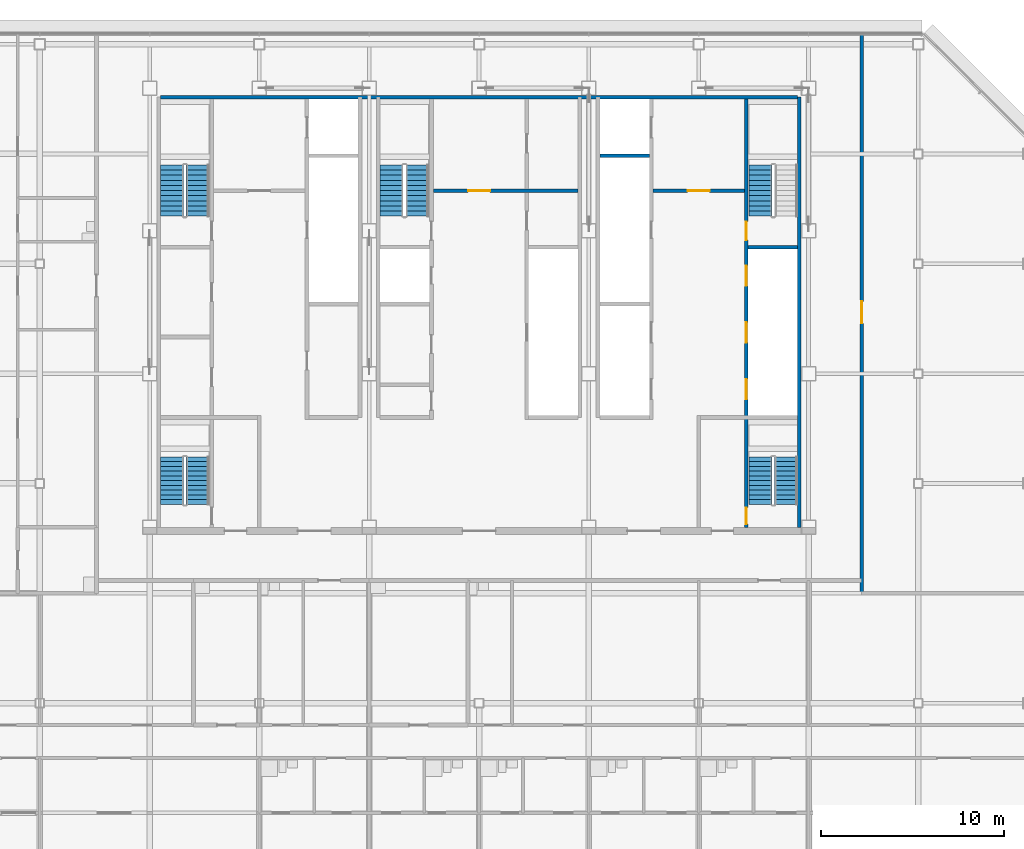
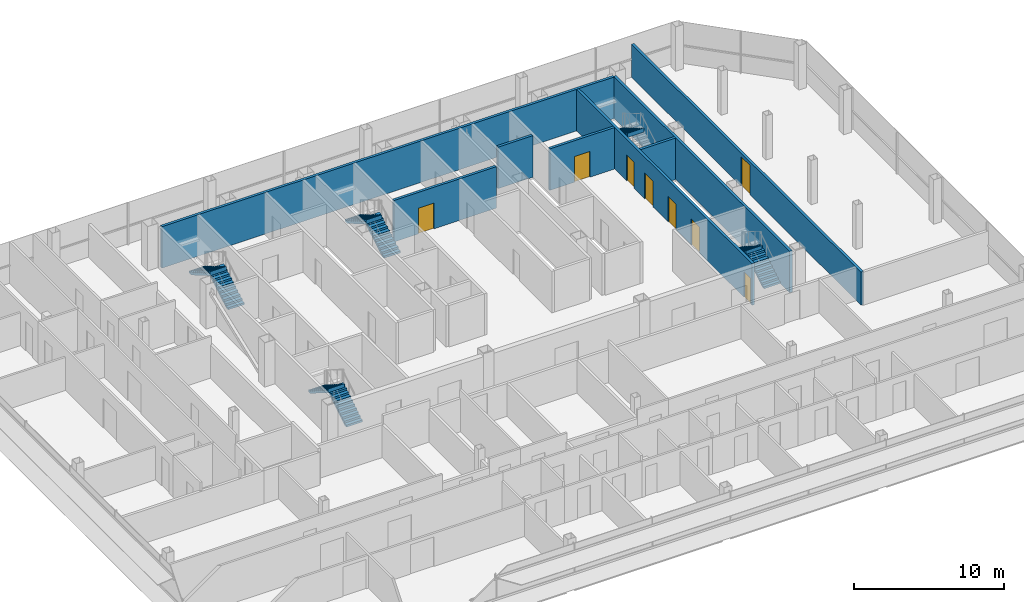
# One storey, part 25 of 28: 9 stair flights, 8 doors, 8 walls, 8 openings, 5 elements without a shape of their own.
"""IFC4 building model written with IfcOpenShell, lengths in metres."""

from ifc_helpers import new_model, si_unit, direction, frame, frame_2d, origin, place, context, subcontext, project, spatial, polyline, rectangle, outline, extrude, material, layer, layer_set, type_object, element, fill, aggregate, save


model = new_model("IFC4")

# Units and contexts
model_context = context("Model", 3, precision=1e-05, world=origin(), true_north=direction((0.0, 1.0)))
body_context = subcontext(model_context, "Body", "Model", "MODEL_VIEW")
ifc_project = project(units=[si_unit("LENGTHUNIT", "METRE"), si_unit("AREAUNIT", "SQUARE_METRE"), si_unit("VOLUMEUNIT", "CUBIC_METRE"), si_unit("PLANEANGLEUNIT", "RADIAN"), si_unit("MASSUNIT", "GRAM", prefix="KILO")], contexts=[model_context])

# Site, building, storey
site_placement = place(None, origin())
site = spatial("IfcSite", under=ifc_project, at=site_placement, CompositionType="ELEMENT")
building_placement = place(site_placement, origin())
building = spatial("IfcBuilding", under=site, at=building_placement, Name="Sorahane Residences", CompositionType="ELEMENT")
storey_placement = place(building_placement, frame((0.0, 0.0, 254.0)))
storey = spatial("IfcBuildingStorey", under=building, at=storey_placement, Name="L60", CompositionType="ELEMENT", Elevation=254.0)

# Walls
ifc_material_1 = material(Name="Concrete C30", Category="concrete")
ifc_layer_1 = layer(ifc_material_1, 0.199951171875)
ifc_layer_set_1 = layer_set([ifc_layer_1], Name="Core face wall 200 EI 180")
wall_type_1 = type_object("IfcWallType", Name="Core face wall 200 EI 180", PredefinedType="SOLIDWALL", material=ifc_layer_set_1)
wall_1_placement = place(storey_placement, frame((41.5, 21.60009765625, 0.0), z_axis=(0.0, 0.0, 1.0), x_axis=(0.0, 1.0, 0.0)))
element("IfcWall", 1, at=wall_1_placement, inside=storey, type_object=wall_type_1, Name="L60 core face wall", PredefinedType="SOLIDWALL", context=body_context, shape_type="SweptSolid", body=[
    extrude(rectangle(XDim=23.5, YDim=0.199951171875, at=frame_2d((11.75, 0.0))), origin(), (0.0, 0.0, 1.0), 3.3798828125),
])
wall_2_placement = place(storey_placement, frame((6.60009765625, 45.10009765625, 0.0), z_axis=(0.0, 0.0, 1.0), x_axis=(1.0, 0.0, 0.0)))
element("IfcWall", 2, at=wall_2_placement, inside=storey, type_object=wall_type_1, Name="L60 core face wall", PredefinedType="SOLIDWALL", context=body_context, shape_type="SweptSolid", body=[
    extrude(rectangle(XDim=34.7998046875, YDim=0.199951171875, at=frame_2d((17.39990234375, 0.0))), origin(), (0.0, 0.0, 1.0), 3.3798828125),
])

# Wall, opening, door
ifc_material_2 = material(Name="Concrete blockwork C20 wall", Category="masonry")
ifc_layer_2 = layer(ifc_material_2, 0.199951171875)
ifc_layer_set_2 = layer_set([ifc_layer_2], Name="Corridor wall 200 EI 120")
wall_type_2 = type_object("IfcWallType", Name="Corridor wall 200 EI 120", PredefinedType="SOLIDWALL", material=ifc_layer_set_2)
wall_3_placement = place(storey_placement, frame((44.89990234375, 18.0, 0.0), z_axis=(0.0, 0.0, 1.0), x_axis=(0.0, 1.0, 0.0)))
wall_3 = element("IfcWall", 3, at=wall_3_placement, inside=storey, type_object=wall_type_2, Name="L60 corridor wall", PredefinedType="SOLIDWALL", context=body_context, shape_type="SweptSolid", body=[
    extrude(rectangle(XDim=30.60009765625, YDim=0.199951171875, at=frame_2d((15.300048828125, 0.0))), origin(), (0.0, 0.0, 1.0), 2.679931640625),
])
opening_1_placement = place(wall_3_placement, frame((14.75, 0.0, 0.0)))
opening_1 = element("IfcOpeningElement", 4, at=opening_1_placement, cuts=wall_3, Name="Opening L60-49", PredefinedType="OPENING", context=body_context, shape_type="SweptSolid", body=[
    extrude(rectangle(XDim=1.199951171875, YDim=2.39990234375, at=frame_2d((0.60009765625, 1.199951171875))), frame((0.0, 0.10986328125, 0.0), z_axis=(0.0, -1.0, 0.0), x_axis=(1.0, 0.0, 0.0)), (0.0, 0.0, 1.0), 0.219970703125),
])
ifc_material_3 = material(Name="Steel", Category="steel")
door_type_1 = type_object("IfcDoorType", Name="Lobby door 1200x2400 FD60", OperationType="NOTDEFINED", PredefinedType="DOOR", material=ifc_material_3)
door_1_placement = place(opening_1_placement, frame((1.199951171875, 0.0, 0.0), z_axis=(0.0, 0.0, 1.0), x_axis=(-1.0, 0.0, 0.0)))
door_1 = element("IfcDoor", 5, at=door_1_placement, inside=storey, type_object=door_type_1, Name="Lobby door L60-49", OperationType="SINGLE_SWING_LEFT", OverallHeight=2.39990234375, OverallWidth=1.199951171875, PredefinedType="DOOR", context=body_context, shape_type="SweptSolid", body=[
    extrude(rectangle(XDim=1.199951171875, YDim=2.39990234375, at=frame_2d((0.60009765625, 1.199951171875))), frame((0.0, 0.02490234375, 0.0), z_axis=(0.0, -1.0, 0.0), x_axis=(1.0, 0.0, 0.0)), (0.0, 0.0, 1.0), 0.050048828125),
])
fill(opening_1, door_1)

ifc_material_4 = material(Name="Concrete C30", Category="concrete")
ifc_layer_3 = layer(ifc_material_4, 0.199951171875)
ifc_layer_set_3 = layer_set([ifc_layer_3], Name="Front room wall 200 EI 120")
wall_type_3 = type_object("IfcWallType", Name="Front room wall 200 EI 120", PredefinedType="PARTITIONING", material=ifc_layer_set_3)
wall_4_placement = place(storey_placement, frame((21.5, 40.0, 0.0), z_axis=(0.0, 0.0, 1.0), x_axis=(1.0, 0.0, 0.0)))
wall_4 = element("IfcWall", 6, at=wall_4_placement, inside=storey, type_object=wall_type_3, Name="L60 front room wall", PredefinedType="PARTITIONING", context=body_context, shape_type="SweptSolid", body=[
    extrude(rectangle(XDim=7.89990234375, YDim=0.199951171875, at=frame_2d((3.949951171875, 0.0))), origin(), (0.0, 0.0, 1.0), 3.3798828125),
])
opening_2_placement = place(wall_4_placement, frame((1.89990234375, 0.0, 0.0)))
opening_2 = element("IfcOpeningElement", 7, at=opening_2_placement, cuts=wall_4, Name="Opening L60-C07", PredefinedType="OPENING", context=body_context, shape_type="SweptSolid", body=[
    extrude(rectangle(XDim=1.199951171875, YDim=2.10009765625, at=frame_2d((0.60009765625, 1.050048828125))), frame((0.0, 0.10986328125, 0.0), z_axis=(0.0, -1.0, 0.0), x_axis=(1.0, 0.0, 0.0)), (0.0, 0.0, 1.0), 0.219970703125),
])
ifc_material_5 = material(Name="Steel", Category="steel")
door_type_2 = type_object("IfcDoorType", Name="Front room door 1200x2100 FD120", OperationType="NOTDEFINED", PredefinedType="DOOR", material=ifc_material_5)
door_2_placement = place(opening_2_placement, frame((1.199951171875, 0.0, 0.0), z_axis=(0.0, 0.0, 1.0), x_axis=(-1.0, 0.0, 0.0)))
door_2 = element("IfcDoor", 8, at=door_2_placement, inside=storey, type_object=door_type_2, Name="Front room door Stair S3 vestibule L60", OperationType="DOUBLE_DOOR_SINGLE_SWING", OverallHeight=2.10009765625, OverallWidth=1.199951171875, PredefinedType="DOOR", context=body_context, shape_type="SweptSolid", body=[
    extrude(rectangle(XDim=1.199951171875, YDim=2.10009765625, at=frame_2d((0.60009765625, 1.050048828125))), frame((0.0, 0.02490234375, 0.0), z_axis=(0.0, -1.0, 0.0), x_axis=(1.0, 0.0, 0.0)), (0.0, 0.0, 1.0), 0.050048828125),
])
fill(opening_2, door_2)

wall_5_placement = place(storey_placement, frame((33.5, 40.0, 0.0), z_axis=(0.0, 0.0, 1.0), x_axis=(1.0, 0.0, 0.0)))
wall_5 = element("IfcWall", 9, at=wall_5_placement, inside=storey, type_object=wall_type_3, Name="L60 front room wall", PredefinedType="PARTITIONING", context=body_context, shape_type="SweptSolid", body=[
    extrude(rectangle(XDim=5.0, YDim=0.199951171875, at=frame_2d((2.5, 0.0))), origin(), (0.0, 0.0, 1.0), 3.3798828125),
])
opening_3_placement = place(wall_5_placement, frame((1.89990234375, 0.0, 0.0)))
opening_3 = element("IfcOpeningElement", 10, at=opening_3_placement, cuts=wall_5, Name="Opening L60-C08", PredefinedType="OPENING", context=body_context, shape_type="SweptSolid", body=[
    extrude(rectangle(XDim=1.199951171875, YDim=2.10009765625, at=frame_2d((0.60009765625, 1.050048828125))), frame((0.0, 0.10986328125, 0.0), z_axis=(0.0, -1.0, 0.0), x_axis=(1.0, 0.0, 0.0)), (0.0, 0.0, 1.0), 0.219970703125),
])
door_3_placement = place(opening_3_placement, frame((1.199951171875, 0.0, 0.0), z_axis=(0.0, 0.0, 1.0), x_axis=(-1.0, 0.0, 0.0)))
door_3 = element("IfcDoor", 11, at=door_3_placement, inside=storey, type_object=door_type_2, Name="Front room door Firefighting lobby FF2 front room L60", OperationType="DOUBLE_DOOR_SINGLE_SWING", OverallHeight=2.10009765625, OverallWidth=1.199951171875, PredefinedType="DOOR", context=body_context, shape_type="SweptSolid", body=[
    extrude(rectangle(XDim=1.199951171875, YDim=2.10009765625, at=frame_2d((0.60009765625, 1.050048828125))), frame((0.0, 0.02490234375, 0.0), z_axis=(0.0, -1.0, 0.0), x_axis=(1.0, 0.0, 0.0)), (0.0, 0.0, 1.0), 0.050048828125),
])
fill(opening_3, door_3)

# Wall
ifc_material_6 = material(Name="Concrete C30", Category="concrete")
ifc_layer_4 = layer(ifc_material_6, 0.199951171875)
ifc_layer_set_4 = layer_set([ifc_layer_4], Name="Lift shaft wall 200 EI 120")
wall_type_4 = type_object("IfcWallType", Name="Lift shaft wall 200 EI 120", PredefinedType="SOLIDWALL", material=ifc_layer_set_4)
wall_6_placement = place(storey_placement, frame((30.60009765625, 41.89990234375, 0.0), z_axis=(0.0, 0.0, 1.0), x_axis=(1.0, 0.0, 0.0)))
element("IfcWall", 12, at=wall_6_placement, inside=storey, type_object=wall_type_4, Name="L60 lift shaft wall", PredefinedType="SOLIDWALL", context=body_context, shape_type="SweptSolid", body=[
    extrude(rectangle(XDim=2.699951171875, YDim=0.199951171875, at=frame_2d((1.35009765625, 0.0))), origin(), (0.0, 0.0, 1.0), 3.3798828125),
])

# Wall, openings, doors
ifc_material_7 = material(Name="Concrete C30", Category="concrete")
ifc_layer_5 = layer(ifc_material_7, 0.199951171875)
ifc_layer_set_5 = layer_set([ifc_layer_5], Name="Stair enclosure wall 200 EI 120")
wall_type_5 = type_object("IfcWallType", Name="Stair enclosure wall 200 EI 120", PredefinedType="SOLIDWALL", material=ifc_layer_set_5)
wall_7_placement = place(storey_placement, frame((38.60009765625, 21.60009765625, 0.0), z_axis=(0.0, 0.0, 1.0), x_axis=(0.0, 1.0, 0.0)))
wall_7 = element("IfcWall", 13, at=wall_7_placement, inside=storey, type_object=wall_type_5, Name="L60 stair enclosure wall", PredefinedType="SOLIDWALL", context=body_context, shape_type="SweptSolid", body=[
    extrude(rectangle(XDim=23.39990234375, YDim=0.199951171875, at=frame_2d((11.699951171875, 0.0))), origin(), (0.0, 0.0, 1.0), 3.3798828125),
])
opening_4_placement = place(wall_7_placement, frame((7.0, 0.0, 0.0)))
opening_4 = element("IfcOpeningElement", 14, at=opening_4_placement, cuts=wall_7, Name="Opening L60-C09", PredefinedType="OPENING", context=body_context, shape_type="SweptSolid", body=[
    extrude(rectangle(XDim=1.10009765625, YDim=2.10009765625, at=frame_2d((0.550048828125, 1.050048828125))), frame((0.0, 0.10986328125, 0.0), z_axis=(0.0, -1.0, 0.0), x_axis=(1.0, 0.0, 0.0)), (0.0, 0.0, 1.0), 0.219970703125),
])
opening_5_placement = place(wall_7_placement, frame((10.10009765625, 0.0, 0.0)))
opening_5 = element("IfcOpeningElement", 15, at=opening_5_placement, cuts=wall_7, Name="Opening L60-C10", PredefinedType="OPENING", context=body_context, shape_type="SweptSolid", body=[
    extrude(rectangle(XDim=1.10009765625, YDim=2.10009765625, at=frame_2d((0.550048828125, 1.050048828125))), frame((0.0, 0.10986328125, 0.0), z_axis=(0.0, -1.0, 0.0), x_axis=(1.0, 0.0, 0.0)), (0.0, 0.0, 1.0), 0.219970703125),
])
opening_6_placement = place(wall_7_placement, frame((13.199951171875, 0.0, 0.0)))
opening_6 = element("IfcOpeningElement", 16, at=opening_6_placement, cuts=wall_7, Name="Opening L60-C11", PredefinedType="OPENING", context=body_context, shape_type="SweptSolid", body=[
    extrude(rectangle(XDim=1.10009765625, YDim=2.10009765625, at=frame_2d((0.550048828125, 1.050048828125))), frame((0.0, 0.10986328125, 0.0), z_axis=(0.0, -1.0, 0.0), x_axis=(1.0, 0.0, 0.0)), (0.0, 0.0, 1.0), 0.219970703125),
])
opening_7_placement = place(wall_7_placement, frame((15.699951171875, 0.0, 0.0)))
opening_7 = element("IfcOpeningElement", 17, at=opening_7_placement, cuts=wall_7, Name="Opening L60-C22", PredefinedType="OPENING", context=body_context, shape_type="SweptSolid", body=[
    extrude(rectangle(XDim=1.0, YDim=2.10009765625, at=frame_2d((0.5, 1.050048828125))), frame((0.0, 0.10986328125, 0.0), z_axis=(0.0, -1.0, 0.0), x_axis=(1.0, 0.0, 0.0)), (0.0, 0.0, 1.0), 0.219970703125),
])
opening_8_placement = place(wall_7_placement, frame((0.175048828125, 0.0, 0.0)))
opening_8 = element("IfcOpeningElement", 18, at=opening_8_placement, cuts=wall_7, Name="Opening L60-C25", PredefinedType="OPENING", context=body_context, shape_type="SweptSolid", body=[
    extrude(rectangle(XDim=0.89990234375, YDim=2.10009765625, at=frame_2d((0.449951171875, 1.050048828125))), frame((0.0, 0.10986328125, 0.0), z_axis=(0.0, -1.0, 0.0), x_axis=(1.0, 0.0, 0.0)), (0.0, 0.0, 1.0), 0.219970703125),
])
ifc_material_8 = material(Name="Aluminium and stainless steel", Category="steel")
door_type_3 = type_object("IfcDoorType", Name="Lift landing door 1100x2100 E 60", OperationType="NOTDEFINED", PredefinedType="DOOR", material=ifc_material_8)
door_4_placement = place(opening_4_placement, origin())
door_4 = element("IfcDoor", 19, at=door_4_placement, inside=storey, type_object=door_type_3, Name="Lift landing door HR1 L60", OperationType="DOUBLE_DOOR_SLIDING", OverallHeight=2.10009765625, OverallWidth=1.10009765625, PredefinedType="DOOR", context=body_context, shape_type="SweptSolid", body=[
    extrude(rectangle(XDim=1.10009765625, YDim=2.10009765625, at=frame_2d((0.550048828125, 1.050048828125))), frame((0.0, 0.02490234375, 0.0), z_axis=(0.0, -1.0, 0.0), x_axis=(1.0, 0.0, 0.0)), (0.0, 0.0, 1.0), 0.050048828125),
])
fill(opening_4, door_4)
door_5_placement = place(opening_5_placement, origin())
door_5 = element("IfcDoor", 20, at=door_5_placement, inside=storey, type_object=door_type_3, Name="Lift landing door HR2 L60", OperationType="DOUBLE_DOOR_SLIDING", OverallHeight=2.10009765625, OverallWidth=1.10009765625, PredefinedType="DOOR", context=body_context, shape_type="SweptSolid", body=[
    extrude(rectangle(XDim=1.10009765625, YDim=2.10009765625, at=frame_2d((0.550048828125, 1.050048828125))), frame((0.0, 0.02490234375, 0.0), z_axis=(0.0, -1.0, 0.0), x_axis=(1.0, 0.0, 0.0)), (0.0, 0.0, 1.0), 0.050048828125),
])
fill(opening_5, door_5)
door_6_placement = place(opening_6_placement, origin())
door_6 = element("IfcDoor", 21, at=door_6_placement, inside=storey, type_object=door_type_3, Name="Lift landing door HR3 L60", OperationType="DOUBLE_DOOR_SLIDING", OverallHeight=2.10009765625, OverallWidth=1.10009765625, PredefinedType="DOOR", context=body_context, shape_type="SweptSolid", body=[
    extrude(rectangle(XDim=1.10009765625, YDim=2.10009765625, at=frame_2d((0.550048828125, 1.050048828125))), frame((0.0, 0.02490234375, 0.0), z_axis=(0.0, -1.0, 0.0), x_axis=(1.0, 0.0, 0.0)), (0.0, 0.0, 1.0), 0.050048828125),
])
fill(opening_6, door_6)
ifc_material_9 = material(Name="Steel", Category="steel")
door_type_4 = type_object("IfcDoorType", Name="Stair door 1000x2100 FD120", OperationType="NOTDEFINED", PredefinedType="DOOR", material=ifc_material_9)
door_7_placement = place(opening_7_placement, frame((1.0, 0.0, 0.0), z_axis=(0.0, 0.0, 1.0), x_axis=(-1.0, 0.0, 0.0)))
door_7 = element("IfcDoor", 22, at=door_7_placement, inside=storey, type_object=door_type_4, Name="Stair door S2 L60", OperationType="SINGLE_SWING_LEFT", OverallHeight=2.10009765625, OverallWidth=1.0, PredefinedType="DOOR", context=body_context, shape_type="SweptSolid", body=[
    extrude(rectangle(XDim=1.0, YDim=2.10009765625, at=frame_2d((0.5, 1.050048828125))), frame((0.0, 0.02490234375, 0.0), z_axis=(0.0, -1.0, 0.0), x_axis=(1.0, 0.0, 0.0)), (0.0, 0.0, 1.0), 0.050048828125),
])
fill(opening_7, door_7)
ifc_material_10 = material(Name="Steel", Category="steel")
door_type_5 = type_object("IfcDoorType", Name="Stair door 900x2100 FD120", OperationType="NOTDEFINED", PredefinedType="DOOR", material=ifc_material_10)
door_8_placement = place(opening_8_placement, frame((0.89990234375, 0.0, 0.0), z_axis=(0.0, 0.0, 1.0), x_axis=(-1.0, 0.0, 0.0)))
door_8 = element("IfcDoor", 23, at=door_8_placement, inside=storey, type_object=door_type_5, Name="Stair door S5 L60", OperationType="SINGLE_SWING_LEFT", OverallHeight=2.10009765625, OverallWidth=0.89990234375, PredefinedType="DOOR", context=body_context, shape_type="SweptSolid", body=[
    extrude(rectangle(XDim=0.89990234375, YDim=2.10009765625, at=frame_2d((0.449951171875, 1.050048828125))), frame((0.0, 0.02490234375, 0.0), z_axis=(0.0, -1.0, 0.0), x_axis=(1.0, 0.0, 0.0)), (0.0, 0.0, 1.0), 0.050048828125),
])
fill(opening_8, door_8)

# Wall
wall_8_placement = place(storey_placement, frame((38.699951171875, 36.89990234375, 0.0), z_axis=(0.0, 0.0, 1.0), x_axis=(1.0, 0.0, 0.0)))
element("IfcWall", 24, at=wall_8_placement, inside=storey, type_object=wall_type_5, Name="L60 stair enclosure wall", PredefinedType="SOLIDWALL", context=body_context, shape_type="SweptSolid", body=[
    extrude(rectangle(XDim=2.699951171875, YDim=0.199951171875, at=frame_2d((1.35009765625, 0.0))), origin(), (0.0, 0.0, 1.0), 3.3798828125),
])

# Stair, stair flights
ifc_material_11 = material(Name="Concrete C40", Category="concrete")
stair_type = type_object("IfcStairType", Name="Dog-leg stair 1250 Concrete C40", PredefinedType="HALF_TURN_STAIR", material=ifc_material_11)
stair_1_placement = place(storey_placement, origin())
stair_1 = element("IfcStair", 25, at=stair_1_placement, inside=storey, type_object=stair_type, Name="L60 Stair S1", PredefinedType="HALF_TURN_STAIR")
ifc_material_12 = material(Name="Concrete C40", Category="concrete")
stair_flight_type = type_object("IfcStairFlightType", Name="Stair flight 1250 Concrete C40", PredefinedType="STRAIGHT", material=ifc_material_12)
stair_flight_1_placement = place(storey_placement, frame((8.625, 38.60009765625, 0.0), z_axis=(0.0, 0.0, 1.0), x_axis=(0.0, 1.0, 0.0)))
stair_flight_1 = element("IfcStairFlight", 26, at=stair_flight_1_placement, type_object=stair_flight_type, Name="S1 flight 1", NumberOfRisers=11, NumberOfTreads=10, PredefinedType="STRAIGHT", RiserHeight=0.163636364, TreadLength=0.28, context=body_context, shape_type="SweptSolid", body=[
    extrude(outline(polyline([(-0.00146484375, 0.0), (-0.00146484375, 0.16357421875), (0.0, 0.16357421875), (0.280029296875, 0.16357421875), (0.280029296875, 0.327392578125), (0.56005859375, 0.327392578125), (0.56005859375, 0.490966796875), (0.840087890625, 0.490966796875), (0.840087890625, 0.654541015625), (1.1201171875, 0.654541015625), (1.1201171875, 0.818115234375), (1.39990234375, 0.818115234375), (1.39990234375, 0.98193359375), (1.679931640625, 0.98193359375), (1.679931640625, 1.1455078125), (1.9599609375, 1.1455078125), (1.9599609375, 1.30908203125), (2.239990234375, 1.30908203125), (2.239990234375, 1.47265625), (2.52001953125, 1.47265625), (2.52001953125, 1.636474609375), (2.800048828125, 1.636474609375), (2.800048828125, 1.800048828125), (2.800048828125, 1.462646484375), (2.59130859375, 1.3408203125), (2.3828125, 1.218994140625), (2.17431640625, 1.09716796875), (1.965576171875, 0.97509765625), (1.757080078125, 0.853271484375), (1.548583984375, 0.7314453125), (1.340087890625, 0.609375), (1.13134765625, 0.487548828125), (0.9228515625, 0.36572265625), (0.71435546875, 0.243896484375), (0.505615234375, 0.121826171875), (0.297119140625, 0.0), (-0.00146484375, 0.0)])), frame((0.0, 0.625, 0.0), z_axis=(0.0, -1.0, 0.0), x_axis=(1.0, 0.0, 0.0)), (0.0, 0.0, 1.0), 1.25),
])
stair_flight_2_placement = place(storey_placement, frame((7.22509765625, 41.39990234375, 1.800048828125), z_axis=(0.0, 0.0, 1.0), x_axis=(0.0, -1.0, 0.0)))
stair_flight_2 = element("IfcStairFlight", 27, at=stair_flight_2_placement, type_object=stair_flight_type, Name="S1 flight 2", NumberOfRisers=11, NumberOfTreads=10, PredefinedType="STRAIGHT", RiserHeight=0.163636364, TreadLength=0.28, context=body_context, shape_type="SweptSolid", body=[
    extrude(outline(polyline([(0.0, 0.0), (0.0, 0.16357421875), (0.280029296875, 0.16357421875), (0.280029296875, 0.327392578125), (0.56005859375, 0.327392578125), (0.56005859375, 0.490966796875), (0.840087890625, 0.490966796875), (0.840087890625, 0.654541015625), (1.1201171875, 0.654541015625), (1.1201171875, 0.818115234375), (1.39990234375, 0.818115234375), (1.39990234375, 0.98193359375), (1.679931640625, 0.98193359375), (1.679931640625, 1.1455078125), (1.9599609375, 1.1455078125), (1.9599609375, 1.30908203125), (2.239990234375, 1.30908203125), (2.239990234375, 1.47265625), (2.52001953125, 1.47265625), (2.52001953125, 1.636474609375), (2.800048828125, 1.636474609375), (2.800048828125, 1.800048828125), (2.801513671875, 1.800048828125), (2.801513671875, 1.462646484375), (2.5927734375, 1.3408203125), (2.384033203125, 1.218994140625), (2.17529296875, 1.09716796875), (1.966796875, 0.97509765625), (1.758056640625, 0.853271484375), (1.54931640625, 0.7314453125), (1.340576171875, 0.609375), (1.1318359375, 0.487548828125), (0.923095703125, 0.36572265625), (0.714599609375, 0.243896484375), (0.505859375, 0.121826171875), (0.297119140625, 0.0), (0.0, 0.0)])), frame((0.0, 0.625, 0.0), z_axis=(0.0, -1.0, 0.0), x_axis=(1.0, 0.0, 0.0)), (0.0, 0.0, 1.0), 1.25),
])
aggregate(stair_1, [stair_flight_1, stair_flight_2])

# Stair, stair flight
stair_2_placement = place(storey_placement, origin())
stair_2 = element("IfcStair", 28, at=stair_2_placement, inside=storey, type_object=stair_type, Name="L60 Stair S2", PredefinedType="HALF_TURN_STAIR")
stair_flight_3_placement = place(storey_placement, frame((39.375, 41.39990234375, 1.800048828125), z_axis=(0.0, 0.0, 1.0), x_axis=(0.0, -1.0, 0.0)))
stair_flight_3 = element("IfcStairFlight", 29, at=stair_flight_3_placement, type_object=stair_flight_type, Name="S2 flight 2", NumberOfRisers=11, NumberOfTreads=10, PredefinedType="STRAIGHT", RiserHeight=0.163636364, TreadLength=0.28, context=body_context, shape_type="SweptSolid", body=[
    extrude(outline(polyline([(0.0, 0.0), (0.0, 0.16357421875), (0.280029296875, 0.16357421875), (0.280029296875, 0.327392578125), (0.56005859375, 0.327392578125), (0.56005859375, 0.490966796875), (0.840087890625, 0.490966796875), (0.840087890625, 0.654541015625), (1.1201171875, 0.654541015625), (1.1201171875, 0.818115234375), (1.39990234375, 0.818115234375), (1.39990234375, 0.98193359375), (1.679931640625, 0.98193359375), (1.679931640625, 1.1455078125), (1.9599609375, 1.1455078125), (1.9599609375, 1.30908203125), (2.239990234375, 1.30908203125), (2.239990234375, 1.47265625), (2.52001953125, 1.47265625), (2.52001953125, 1.636474609375), (2.800048828125, 1.636474609375), (2.800048828125, 1.800048828125), (2.801513671875, 1.800048828125), (2.801513671875, 1.462646484375), (2.5927734375, 1.3408203125), (2.384033203125, 1.218994140625), (2.17529296875, 1.09716796875), (1.966796875, 0.97509765625), (1.758056640625, 0.853271484375), (1.54931640625, 0.7314453125), (1.340576171875, 0.609375), (1.1318359375, 0.487548828125), (0.923095703125, 0.36572265625), (0.714599609375, 0.243896484375), (0.505859375, 0.121826171875), (0.297119140625, 0.0), (0.0, 0.0)])), frame((0.0, 0.625, 0.0), z_axis=(0.0, -1.0, 0.0), x_axis=(1.0, 0.0, 0.0)), (0.0, 0.0, 1.0), 1.25),
])
aggregate(stair_2, [stair_flight_3])

# Stair, stair flights
stair_3_placement = place(storey_placement, origin())
stair_3 = element("IfcStair", 30, at=stair_3_placement, inside=storey, type_object=stair_type, Name="L60 Stair S3", PredefinedType="HALF_TURN_STAIR")
stair_flight_4_placement = place(storey_placement, frame((20.625, 38.60009765625, 0.0), z_axis=(0.0, 0.0, 1.0), x_axis=(0.0, 1.0, 0.0)))
stair_flight_4 = element("IfcStairFlight", 31, at=stair_flight_4_placement, type_object=stair_flight_type, Name="S3 flight 1", NumberOfRisers=11, NumberOfTreads=10, PredefinedType="STRAIGHT", RiserHeight=0.163636364, TreadLength=0.28, context=body_context, shape_type="SweptSolid", body=[
    extrude(outline(polyline([(-0.00146484375, 0.0), (-0.00146484375, 0.16357421875), (0.0, 0.16357421875), (0.280029296875, 0.16357421875), (0.280029296875, 0.327392578125), (0.56005859375, 0.327392578125), (0.56005859375, 0.490966796875), (0.840087890625, 0.490966796875), (0.840087890625, 0.654541015625), (1.1201171875, 0.654541015625), (1.1201171875, 0.818115234375), (1.39990234375, 0.818115234375), (1.39990234375, 0.98193359375), (1.679931640625, 0.98193359375), (1.679931640625, 1.1455078125), (1.9599609375, 1.1455078125), (1.9599609375, 1.30908203125), (2.239990234375, 1.30908203125), (2.239990234375, 1.47265625), (2.52001953125, 1.47265625), (2.52001953125, 1.636474609375), (2.800048828125, 1.636474609375), (2.800048828125, 1.800048828125), (2.800048828125, 1.462646484375), (2.59130859375, 1.3408203125), (2.3828125, 1.218994140625), (2.17431640625, 1.09716796875), (1.965576171875, 0.97509765625), (1.757080078125, 0.853271484375), (1.548583984375, 0.7314453125), (1.340087890625, 0.609375), (1.13134765625, 0.487548828125), (0.9228515625, 0.36572265625), (0.71435546875, 0.243896484375), (0.505615234375, 0.121826171875), (0.297119140625, 0.0), (-0.00146484375, 0.0)])), frame((0.0, 0.625, 0.0), z_axis=(0.0, -1.0, 0.0), x_axis=(1.0, 0.0, 0.0)), (0.0, 0.0, 1.0), 1.25),
])
stair_flight_5_placement = place(storey_placement, frame((19.22509765625, 41.39990234375, 1.800048828125), z_axis=(0.0, 0.0, 1.0), x_axis=(0.0, -1.0, 0.0)))
stair_flight_5 = element("IfcStairFlight", 32, at=stair_flight_5_placement, type_object=stair_flight_type, Name="S3 flight 2", NumberOfRisers=11, NumberOfTreads=10, PredefinedType="STRAIGHT", RiserHeight=0.163636364, TreadLength=0.28, context=body_context, shape_type="SweptSolid", body=[
    extrude(outline(polyline([(0.0, 0.0), (0.0, 0.16357421875), (0.280029296875, 0.16357421875), (0.280029296875, 0.327392578125), (0.56005859375, 0.327392578125), (0.56005859375, 0.490966796875), (0.840087890625, 0.490966796875), (0.840087890625, 0.654541015625), (1.1201171875, 0.654541015625), (1.1201171875, 0.818115234375), (1.39990234375, 0.818115234375), (1.39990234375, 0.98193359375), (1.679931640625, 0.98193359375), (1.679931640625, 1.1455078125), (1.9599609375, 1.1455078125), (1.9599609375, 1.30908203125), (2.239990234375, 1.30908203125), (2.239990234375, 1.47265625), (2.52001953125, 1.47265625), (2.52001953125, 1.636474609375), (2.800048828125, 1.636474609375), (2.800048828125, 1.800048828125), (2.801513671875, 1.800048828125), (2.801513671875, 1.462646484375), (2.5927734375, 1.3408203125), (2.384033203125, 1.218994140625), (2.17529296875, 1.09716796875), (1.966796875, 0.97509765625), (1.758056640625, 0.853271484375), (1.54931640625, 0.7314453125), (1.340576171875, 0.609375), (1.1318359375, 0.487548828125), (0.923095703125, 0.36572265625), (0.714599609375, 0.243896484375), (0.505859375, 0.121826171875), (0.297119140625, 0.0), (0.0, 0.0)])), frame((0.0, 0.625, 0.0), z_axis=(0.0, -1.0, 0.0), x_axis=(1.0, 0.0, 0.0)), (0.0, 0.0, 1.0), 1.25),
])
aggregate(stair_3, [stair_flight_4, stair_flight_5])

stair_4_placement = place(storey_placement, origin())
stair_4 = element("IfcStair", 33, at=stair_4_placement, inside=storey, type_object=stair_type, Name="L60 Stair S4", PredefinedType="HALF_TURN_STAIR")
stair_flight_6_placement = place(storey_placement, frame((8.625, 22.85009765625, 0.0), z_axis=(0.0, 0.0, 1.0), x_axis=(0.0, 1.0, 0.0)))
stair_flight_6 = element("IfcStairFlight", 34, at=stair_flight_6_placement, type_object=stair_flight_type, Name="S4 flight 1", NumberOfRisers=11, NumberOfTreads=10, PredefinedType="STRAIGHT", RiserHeight=0.163636364, TreadLength=0.26, context=body_context, shape_type="SweptSolid", body=[
    extrude(outline(polyline([(-0.00146484375, 0.0), (-0.00146484375, 0.16357421875), (0.0, 0.16357421875), (0.260009765625, 0.16357421875), (0.260009765625, 0.327392578125), (0.52001953125, 0.327392578125), (0.52001953125, 0.490966796875), (0.780029296875, 0.490966796875), (0.780029296875, 0.654541015625), (1.0400390625, 0.654541015625), (1.0400390625, 0.818115234375), (1.300048828125, 0.818115234375), (1.300048828125, 0.98193359375), (1.56005859375, 0.98193359375), (1.56005859375, 1.1455078125), (1.820068359375, 1.1455078125), (1.820068359375, 1.30908203125), (2.080078125, 1.30908203125), (2.080078125, 1.47265625), (2.340087890625, 1.47265625), (2.340087890625, 1.636474609375), (2.60009765625, 1.636474609375), (2.60009765625, 1.800048828125), (2.60009765625, 1.494384765625), (2.402099609375, 1.369873046875), (2.204345703125, 1.245361328125), (2.00634765625, 1.120849609375), (1.80859375, 0.996337890625), (1.610595703125, 0.871826171875), (1.412841796875, 0.747314453125), (1.21484375, 0.622802734375), (1.01708984375, 0.498046875), (0.819091796875, 0.37353515625), (0.621337890625, 0.2490234375), (0.42333984375, 0.12451171875), (0.2255859375, 0.0), (-0.00146484375, 0.0)])), frame((0.0, 0.625, 0.0), z_axis=(0.0, -1.0, 0.0), x_axis=(1.0, 0.0, 0.0)), (0.0, 0.0, 1.0), 1.25),
])
stair_flight_7_placement = place(storey_placement, frame((7.22509765625, 25.449951171875, 1.800048828125), z_axis=(0.0, 0.0, 1.0), x_axis=(0.0, -1.0, 0.0)))
stair_flight_7 = element("IfcStairFlight", 35, at=stair_flight_7_placement, type_object=stair_flight_type, Name="S4 flight 2", NumberOfRisers=11, NumberOfTreads=10, PredefinedType="STRAIGHT", RiserHeight=0.163636364, TreadLength=0.26, context=body_context, shape_type="SweptSolid", body=[
    extrude(outline(polyline([(0.0, 0.0), (0.0, 0.16357421875), (0.260009765625, 0.16357421875), (0.260009765625, 0.327392578125), (0.52001953125, 0.327392578125), (0.52001953125, 0.490966796875), (0.780029296875, 0.490966796875), (0.780029296875, 0.654541015625), (1.0400390625, 0.654541015625), (1.0400390625, 0.818115234375), (1.300048828125, 0.818115234375), (1.300048828125, 0.98193359375), (1.56005859375, 0.98193359375), (1.56005859375, 1.1455078125), (1.820068359375, 1.1455078125), (1.820068359375, 1.30908203125), (2.080078125, 1.30908203125), (2.080078125, 1.47265625), (2.340087890625, 1.47265625), (2.340087890625, 1.636474609375), (2.60009765625, 1.636474609375), (2.60009765625, 1.800048828125), (2.6015625, 1.800048828125), (2.6015625, 1.494384765625), (2.403564453125, 1.369873046875), (2.20556640625, 1.245361328125), (2.007568359375, 1.120849609375), (1.8095703125, 0.996337890625), (1.611572265625, 0.871826171875), (1.41357421875, 0.747314453125), (1.215576171875, 0.622802734375), (1.017578125, 0.498046875), (0.819580078125, 0.37353515625), (0.62158203125, 0.2490234375), (0.423583984375, 0.12451171875), (0.2255859375, 0.0), (0.0, 0.0)])), frame((0.0, 0.625, 0.0), z_axis=(0.0, -1.0, 0.0), x_axis=(1.0, 0.0, 0.0)), (0.0, 0.0, 1.0), 1.25),
])
aggregate(stair_4, [stair_flight_6, stair_flight_7])

stair_5_placement = place(storey_placement, origin())
stair_5 = element("IfcStair", 36, at=stair_5_placement, inside=storey, type_object=stair_type, Name="L60 Stair S5", PredefinedType="HALF_TURN_STAIR")
stair_flight_8_placement = place(storey_placement, frame((40.77490234375, 22.85009765625, 0.0), z_axis=(0.0, 0.0, 1.0), x_axis=(0.0, 1.0, 0.0)))
stair_flight_8 = element("IfcStairFlight", 37, at=stair_flight_8_placement, type_object=stair_flight_type, Name="S5 flight 1", NumberOfRisers=11, NumberOfTreads=10, PredefinedType="STRAIGHT", RiserHeight=0.163636364, TreadLength=0.26, context=body_context, shape_type="SweptSolid", body=[
    extrude(outline(polyline([(-0.00146484375, 0.0), (-0.00146484375, 0.16357421875), (0.0, 0.16357421875), (0.260009765625, 0.16357421875), (0.260009765625, 0.327392578125), (0.52001953125, 0.327392578125), (0.52001953125, 0.490966796875), (0.780029296875, 0.490966796875), (0.780029296875, 0.654541015625), (1.0400390625, 0.654541015625), (1.0400390625, 0.818115234375), (1.300048828125, 0.818115234375), (1.300048828125, 0.98193359375), (1.56005859375, 0.98193359375), (1.56005859375, 1.1455078125), (1.820068359375, 1.1455078125), (1.820068359375, 1.30908203125), (2.080078125, 1.30908203125), (2.080078125, 1.47265625), (2.340087890625, 1.47265625), (2.340087890625, 1.636474609375), (2.60009765625, 1.636474609375), (2.60009765625, 1.800048828125), (2.60009765625, 1.494384765625), (2.402099609375, 1.369873046875), (2.204345703125, 1.245361328125), (2.00634765625, 1.120849609375), (1.80859375, 0.996337890625), (1.610595703125, 0.871826171875), (1.412841796875, 0.747314453125), (1.21484375, 0.622802734375), (1.01708984375, 0.498046875), (0.819091796875, 0.37353515625), (0.621337890625, 0.2490234375), (0.42333984375, 0.12451171875), (0.2255859375, 0.0), (-0.00146484375, 0.0)])), frame((0.0, 0.625, 0.0), z_axis=(0.0, -1.0, 0.0), x_axis=(1.0, 0.0, 0.0)), (0.0, 0.0, 1.0), 1.25),
])
stair_flight_9_placement = place(storey_placement, frame((39.375, 25.449951171875, 1.800048828125), z_axis=(0.0, 0.0, 1.0), x_axis=(0.0, -1.0, 0.0)))
stair_flight_9 = element("IfcStairFlight", 38, at=stair_flight_9_placement, type_object=stair_flight_type, Name="S5 flight 2", NumberOfRisers=11, NumberOfTreads=10, PredefinedType="STRAIGHT", RiserHeight=0.163636364, TreadLength=0.26, context=body_context, shape_type="SweptSolid", body=[
    extrude(outline(polyline([(0.0, 0.0), (0.0, 0.16357421875), (0.260009765625, 0.16357421875), (0.260009765625, 0.327392578125), (0.52001953125, 0.327392578125), (0.52001953125, 0.490966796875), (0.780029296875, 0.490966796875), (0.780029296875, 0.654541015625), (1.0400390625, 0.654541015625), (1.0400390625, 0.818115234375), (1.300048828125, 0.818115234375), (1.300048828125, 0.98193359375), (1.56005859375, 0.98193359375), (1.56005859375, 1.1455078125), (1.820068359375, 1.1455078125), (1.820068359375, 1.30908203125), (2.080078125, 1.30908203125), (2.080078125, 1.47265625), (2.340087890625, 1.47265625), (2.340087890625, 1.636474609375), (2.60009765625, 1.636474609375), (2.60009765625, 1.800048828125), (2.6015625, 1.800048828125), (2.6015625, 1.494384765625), (2.403564453125, 1.369873046875), (2.20556640625, 1.245361328125), (2.007568359375, 1.120849609375), (1.8095703125, 0.996337890625), (1.611572265625, 0.871826171875), (1.41357421875, 0.747314453125), (1.215576171875, 0.622802734375), (1.017578125, 0.498046875), (0.819580078125, 0.37353515625), (0.62158203125, 0.2490234375), (0.423583984375, 0.12451171875), (0.2255859375, 0.0), (0.0, 0.0)])), frame((0.0, 0.625, 0.0), z_axis=(0.0, -1.0, 0.0), x_axis=(1.0, 0.0, 0.0)), (0.0, 0.0, 1.0), 1.25),
])
aggregate(stair_5, [stair_flight_8, stair_flight_9])

save(model, "model.ifc")
